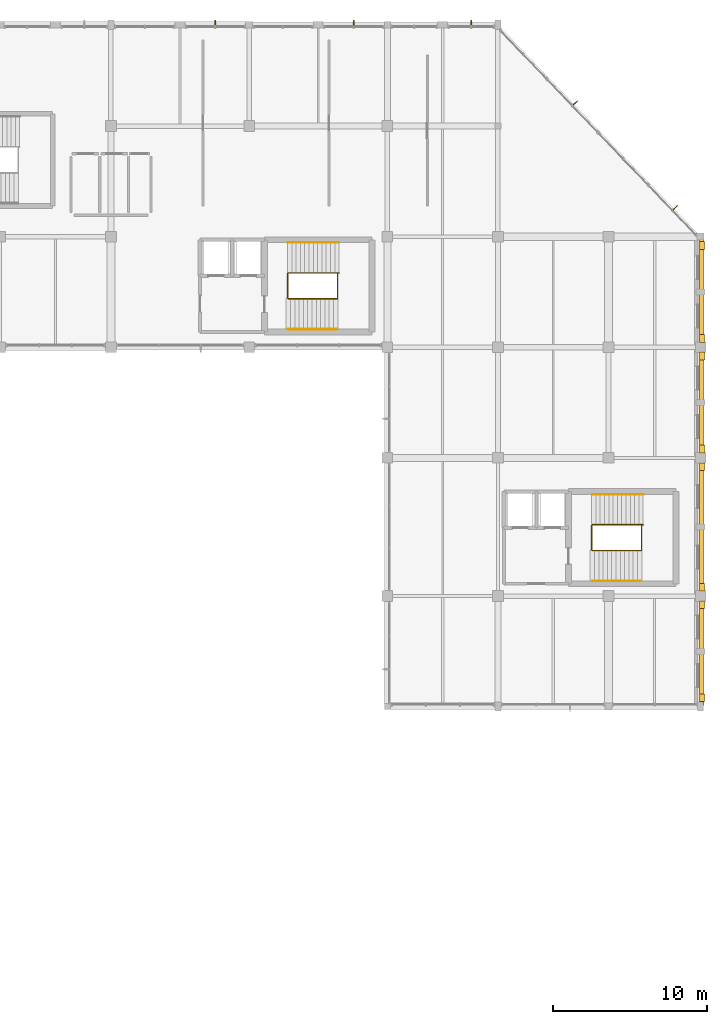
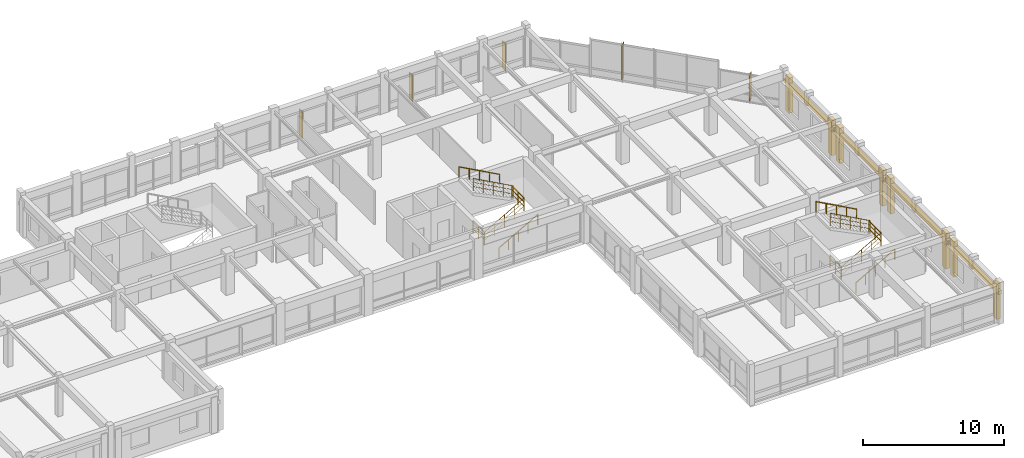
# One storey, part 52 of 52: 12 coverings, 12 railings, 5 shading devices.
"""IFC4 building model written with IfcOpenShell, lengths in metres."""

import ifcopenshell
import ifcopenshell.guid

model = None  # the IFC model being written
_history = None  # IfcOwnerHistory: only IFC2X3 demands one
_inside = {}  # id of a spatial element -> (the spatial element, [elements in it])
_under = {}  # id of a project, library or spatial element -> (it, [spatial elements below it])
_declared = {}  # id of a project -> (the project, [libraries it declares])
_typed = {}  # id of a type object -> (the type object, [elements of that type])
_made_of = {}  # id of a material, layer set ... -> (it, [elements and type objects made of it])


def new_model(schema):
    """Start an empty IFC model of exactly this schema.

    Asked for "IFC4X3", IfcOpenShell would pick the latest addendum, in which some entities
    have other attributes; the version numbers below select the first issue.
    IFC2X3 requires an IfcOwnerHistory on every rooted entity: one is made here for all.
    """
    global model, _history
    if schema == "IFC4X3":
        model = ifcopenshell.file(schema_version=(4, 3, 0, 0))
    else:
        model = ifcopenshell.file(schema=schema)
    _inside.clear()
    _under.clear()
    _declared.clear()
    _typed.clear()
    _made_of.clear()
    _history = None
    if model.schema == "IFC2X3":
        org = make("IfcOrganization", Name="unknown")
        user = make(
            "IfcPersonAndOrganization",
            ThePerson=make("IfcPerson", FamilyName="unknown"),
            TheOrganization=org,
        )
        app = make(
            "IfcApplication",
            ApplicationDeveloper=org,
            Version="unknown",
            ApplicationFullName="unknown",
            ApplicationIdentifier="unknown",
        )
        _history = make(
            "IfcOwnerHistory",
            OwningUser=user,
            OwningApplication=app,
            ChangeAction="ADDED",
            CreationDate=0,
        )
    return model


def make(cls, **values):
    """One entity of the class cls with the attributes given. An attribute that is None is left unset."""
    return model.create_entity(
        cls, **{name: value for name, value in values.items() if value is not None}
    )


def rooted(cls, **values):
    """An entity with a GlobalId (a new one), such as an element, a storey or a relation."""
    return make(cls, GlobalId=ifcopenshell.guid.new(), OwnerHistory=_history, **values)


def si_unit(unit_type, name, prefix=None):
    """IfcSIUnit, for example si_unit("LENGTHUNIT", "METRE", prefix="MILLI")."""
    return make("IfcSIUnit", UnitType=unit_type, Prefix=prefix, Name=name)


def assignment(units):
    """IfcUnitAssignment: the units of a project."""
    return None if units is None else make("IfcUnitAssignment", Units=units)


def point(xyz):
    """IfcCartesianPoint."""
    return None if xyz is None else make("IfcCartesianPoint", Coordinates=xyz)


def direction(xyz):
    """IfcDirection."""
    return None if xyz is None else make("IfcDirection", DirectionRatios=xyz)


def frame(location, z_axis=None, x_axis=None):
    """IfcAxis2Placement3D, a coordinate frame: its origin and axes. An axis left out is left unset."""
    return make(
        "IfcAxis2Placement3D",
        Location=point(location),
        Axis=direction(z_axis),
        RefDirection=direction(x_axis),
    )


def frame_2d(location, x_axis=None):
    """IfcAxis2Placement2D, a coordinate frame in the plane: its origin and x axis."""
    return make(
        "IfcAxis2Placement2D", Location=point(location), RefDirection=direction(x_axis)
    )


def origin():
    """The frame at (0, 0, 0) with its axes left unset."""
    return frame((0.0, 0.0, 0.0))


def origin_2d():
    """The frame at (0, 0) in the plane with its x axis left unset."""
    return frame_2d((0.0, 0.0))


def place(relative_to, where):
    """IfcLocalPlacement: puts the frame where relative to a parent placement (None: the world)."""
    return make(
        "IfcLocalPlacement", PlacementRelTo=relative_to, RelativePlacement=where
    )


def context(
    kind, dimensions, precision=None, world=None, true_north=None, identifier=None
):
    """IfcGeometricRepresentationContext, for example the 3D "Model" context."""
    return make(
        "IfcGeometricRepresentationContext",
        ContextIdentifier=identifier,
        ContextType=kind,
        CoordinateSpaceDimension=dimensions,
        Precision=precision,
        WorldCoordinateSystem=world,
        TrueNorth=true_north,
    )


def subcontext(parent, identifier, kind, view, scale=None):
    """IfcGeometricRepresentationSubContext, for example "Body" below "Model"."""
    return make(
        "IfcGeometricRepresentationSubContext",
        ContextIdentifier=identifier,
        ContextType=kind,
        ParentContext=parent,
        TargetScale=scale,
        TargetView=view,
    )


def project(units=None, contexts=None):
    """IfcProject with its units and contexts."""
    return rooted(
        "IfcProject",
        Name="project",
        RepresentationContexts=contexts,
        UnitsInContext=assignment(units),
    )


def spatial(cls, under=None, at=None, **own):
    """A site, building, storey or space (cls), placed at a placement, below another one or the project."""
    s = rooted(cls, ObjectPlacement=at, **own)
    if under is not None:
        _under.setdefault(under.id(), (under, []))[1].append(s)
    return s


def profile(cls, at=None, kind="AREA", **sizes):
    """A parametric profile (cls). Its sizes go by their IFC names, for example OverallWidth=200.0."""
    return make(cls, ProfileType=kind, Position=at, **sizes)


def rectangle(**sizes):
    """IfcRectangleProfileDef."""
    return profile("IfcRectangleProfileDef", **sizes)


def circle(**sizes):
    """IfcCircleProfileDef."""
    return profile("IfcCircleProfileDef", **sizes)


def extrude(swept, where, along, depth):
    """IfcExtrudedAreaSolid: the profile swept, set in the frame where, extruded along a direction by depth."""
    return make(
        "IfcExtrudedAreaSolid",
        SweptArea=swept,
        Position=where,
        ExtrudedDirection=direction(along),
        Depth=depth,
    )


def shape(context_of_items, identifier, shape_type, items):
    """IfcShapeRepresentation: the items that make up one representation, for example the "Body"."""
    return make(
        "IfcShapeRepresentation",
        ContextOfItems=context_of_items,
        RepresentationIdentifier=identifier,
        RepresentationType=shape_type,
        Items=items,
    )


def material(Name=None, Category=None):
    """IfcMaterial."""
    return make("IfcMaterial", Name=Name, Category=Category)


def layer(
    of_material, thickness, ventilated=None, Name=None, Category=None, Priority=None
):
    """IfcMaterialLayer: one layer of a wall or slab, of a material (None: an air gap)."""
    return make(
        "IfcMaterialLayer",
        Material=of_material,
        LayerThickness=thickness,
        IsVentilated=ventilated,
        Name=Name,
        Category=Category,
        Priority=Priority,
    )


def layer_set(layers, Name=None):
    """IfcMaterialLayerSet."""
    return make("IfcMaterialLayerSet", MaterialLayers=layers, LayerSetName=Name)


def made_of(thing, what):
    """Note that an element or type object is made of a material, layer set ...; save() writes the relation."""
    if what is not None:
        _made_of.setdefault(what.id(), (what, []))[1].append(thing)
    return thing


def type_object(cls, material=None, **own):
    """A type object (cls), such as IfcWallType, which elements share."""
    return made_of(rooted(cls, **own), material)


def element(
    cls,
    number,
    at=None,
    inside=None,
    cuts=None,
    type_object=None,
    material=None,
    context=None,
    identifier="Body",
    shape_type=None,
    held_by="IfcProductDefinitionShape",
    body=None,
    shapes=None,
    **own,
):
    """One element of the class cls, such as IfcWall. Its Tag is "e" and its number.

    at: its placement. inside: the storey or other place that contains it. cuts: it is an
    opening in that element (IfcRelVoidsElement). A single representation is given by context,
    identifier, shape_type and body (its items); several are given by shapes. held_by: the class
    of the entity that holds the representations. save() writes the other relations.
    """
    e = rooted(cls, Tag="e%d" % number, ObjectPlacement=at, **own)
    if body is not None:
        shapes = [shape(context, identifier, shape_type, body)]
    if shapes is not None:
        e.Representation = make(held_by, Representations=shapes)
    if inside is not None:
        _inside.setdefault(inside.id(), (inside, []))[1].append(e)
    if cuts is not None:
        rooted(
            "IfcRelVoidsElement", RelatingBuildingElement=cuts, RelatedOpeningElement=e
        )
    if type_object is not None:
        _typed.setdefault(type_object.id(), (type_object, []))[1].append(e)
    return made_of(e, material)


def aggregate(whole, parts):
    """IfcRelAggregates: a whole, such as a stair, and the parts it consists of."""
    return rooted("IfcRelAggregates", RelatingObject=whole, RelatedObjects=parts)


def save(model, path):
    """Write the relations noted so far, then the file.

    IfcRelAggregates (storeys below a building ...), IfcRelContainedInSpatialStructure (elements
    in a storey), IfcRelDefinesByType, IfcRelAssociatesMaterial and IfcRelDeclares: one each for
    every whole, place, type object, material and project.
    """
    for whole, parts in _under.values():
        aggregate(whole, parts)
    for where, things in _inside.values():
        rooted(
            "IfcRelContainedInSpatialStructure",
            RelatedElements=things,
            RelatingStructure=where,
        )
    for kind, things in _typed.values():
        rooted("IfcRelDefinesByType", RelatedObjects=things, RelatingType=kind)
    for what, things in _made_of.values():
        rooted("IfcRelAssociatesMaterial", RelatedObjects=things, RelatingMaterial=what)
    for by, libraries in _declared.values():
        rooted("IfcRelDeclares", RelatingContext=by, RelatedDefinitions=libraries)
    model.write(path)


model = new_model("IFC4")

# Units and contexts
model_context = context("Model", 3, precision=1e-05, world=origin(), true_north=direction((0.0, 1.0)))
body_context = subcontext(model_context, "Body", "Model", "MODEL_VIEW")
ifc_project = project(units=[si_unit("LENGTHUNIT", "METRE"), si_unit("AREAUNIT", "SQUARE_METRE"), si_unit("VOLUMEUNIT", "CUBIC_METRE"), si_unit("PLANEANGLEUNIT", "RADIAN"), si_unit("MASSUNIT", "GRAM", prefix="KILO")], contexts=[model_context])

# Site, building, storey
site_placement = place(None, origin())
site = spatial("IfcSite", under=ifc_project, at=site_placement, CompositionType="ELEMENT")
building_placement = place(site_placement, origin())
building = spatial("IfcBuilding", under=site, at=building_placement, Name="Clarverna Civic Hall", CompositionType="ELEMENT")
storey_placement = place(building_placement, frame((0.0, 0.0, 16.800048828125)))
storey = spatial("IfcBuildingStorey", under=building, at=storey_placement, Name="L04", CompositionType="ELEMENT", Elevation=16.800048828125)

# Coverings
ifc_material_1 = material(Name="Montjuic Buff Limestone Ashlar Cladding", Category="masonry")
ifc_layer_1 = layer(ifc_material_1, 0.070068359375)
ifc_layer_set_1 = layer_set([ifc_layer_1], Name="Montjuic Buff Limestone Ashlar Cladding")
covering_type = type_object("IfcCoveringType", Name="CV-CL2", PredefinedType="CLADDING", material=ifc_layer_set_1)
covering_1_placement = place(storey_placement, frame((168.080078125, 102.139892578125, 2.2900390625), z_axis=(0.0, 0.0, 1.0), x_axis=(0.0, -1.0, 0.0)))
element("IfcCovering", 1, at=covering_1_placement, inside=storey, type_object=covering_type, Name="CV-CL2-761", PredefinedType="CLADDING", context=body_context, shape_type="SweptSolid", body=[
    extrude(rectangle(XDim=7.079833984375, YDim=0.280029296875, at=frame_2d((3.5400390625, 0.0))), origin(), (0.0, 0.0, 1.0), 0.2998046875),
])
for number, where, z_axis, x_axis, name in (
    (2, (168.110107421875, 101.8798828125, 0.0), (0.0, 0.0, 1.0), (0.0, -1.0, 0.0), "CV-CL2-762"),
    (3, (168.110107421875, 95.820068359375, 0.0), (0.0, 0.0, 1.0), (0.0, -1.0, 0.0), "CV-CL2-763"),
):
    element("IfcCovering", number, at=place(storey_placement, frame(where, z_axis=z_axis, x_axis=x_axis)), inside=storey, type_object=covering_type, Name=name, PredefinedType="CLADDING", context=body_context, shape_type="SweptSolid", body=[
        extrude(rectangle(XDim=0.5, YDim=0.340087890625, at=frame_2d((0.25, 0.0))), origin(), (0.0, 0.0, 1.0), 3.050048828125),
    ])
covering_2_placement = place(storey_placement, frame((168.080078125, 94.93994140625, 2.320068359375), z_axis=(0.0, 0.0, 1.0), x_axis=(0.0, -1.0, 0.0)))
element("IfcCovering", 4, at=covering_2_placement, inside=storey, type_object=covering_type, Name="CV-CL2-764", PredefinedType="CLADDING", context=body_context, shape_type="SweptSolid", body=[
    extrude(rectangle(XDim=7.079833984375, YDim=0.280029296875, at=frame_2d((3.5400390625, 0.0))), origin(), (0.0, 0.0, 1.0), 0.2998046875),
])
for number, where, z_axis, x_axis, name in (
    (5, (168.110107421875, 94.679931640625, 0.0), (0.0, 0.0, 1.0), (0.0, -1.0, 0.0), "CV-CL2-765"),
    (6, (168.110107421875, 88.6201171875, 0.0), (0.0, 0.0, 1.0), (0.0, -1.0, 0.0), "CV-CL2-766"),
):
    element("IfcCovering", number, at=place(storey_placement, frame(where, z_axis=z_axis, x_axis=x_axis)), inside=storey, type_object=covering_type, Name=name, PredefinedType="CLADDING", context=body_context, shape_type="SweptSolid", body=[
        extrude(rectangle(XDim=0.5, YDim=0.340087890625, at=frame_2d((0.25, 0.0))), origin(), (0.0, 0.0, 1.0), 3.079833984375),
    ])
covering_3_placement = place(storey_placement, frame((168.080078125, 87.739990234375, 2.320068359375), z_axis=(0.0, 0.0, 1.0), x_axis=(0.0, -1.0, 0.0)))
element("IfcCovering", 7, at=covering_3_placement, inside=storey, type_object=covering_type, Name="CV-CL2-767", PredefinedType="CLADDING", context=body_context, shape_type="SweptSolid", body=[
    extrude(rectangle(XDim=8.8798828125, YDim=0.280029296875, at=frame_2d((4.43994140625, 0.0))), origin(), (0.0, 0.0, 1.0), 0.2998046875),
])
for number, where, z_axis, x_axis, name in (
    (8, (168.110107421875, 87.47998046875, 0.0), (0.0, 0.0, 1.0), (0.0, -1.0, 0.0), "CV-CL2-768"),
    (9, (168.110107421875, 79.6201171875, 0.0), (0.0, 0.0, 1.0), (0.0, -1.0, 0.0), "CV-CL2-769"),
):
    element("IfcCovering", number, at=place(storey_placement, frame(where, z_axis=z_axis, x_axis=x_axis)), inside=storey, type_object=covering_type, Name=name, PredefinedType="CLADDING", context=body_context, shape_type="SweptSolid", body=[
        extrude(rectangle(XDim=0.5, YDim=0.340087890625, at=frame_2d((0.25, 0.0))), origin(), (0.0, 0.0, 1.0), 3.079833984375),
    ])
covering_4_placement = place(storey_placement, frame((168.080078125, 78.739990234375, 2.320068359375), z_axis=(0.0, 0.0, 1.0), x_axis=(0.0, -1.0, 0.0)))
element("IfcCovering", 10, at=covering_4_placement, inside=storey, type_object=covering_type, Name="CV-CL2-770", PredefinedType="CLADDING", context=body_context, shape_type="SweptSolid", body=[
    extrude(rectangle(XDim=7.080078125, YDim=0.280029296875, at=frame_2d((3.5400390625, 0.0))), origin(), (0.0, 0.0, 1.0), 0.2998046875),
])
for number, where, z_axis, x_axis, name in (
    (11, (168.110107421875, 78.47998046875, 0.0), (0.0, 0.0, 1.0), (0.0, -1.0, 0.0), "CV-CL2-771"),
    (12, (168.110107421875, 72.419921875, 0.0), (0.0, 0.0, 1.0), (0.0, -1.0, 0.0), "CV-CL2-772"),
):
    element("IfcCovering", number, at=place(storey_placement, frame(where, z_axis=z_axis, x_axis=x_axis)), inside=storey, type_object=covering_type, Name=name, PredefinedType="CLADDING", context=body_context, shape_type="SweptSolid", body=[
        extrude(rectangle(XDim=0.5, YDim=0.340087890625, at=frame_2d((0.25, 0.0))), origin(), (0.0, 0.0, 1.0), 3.079833984375),
    ])

# Railings
ifc_material_2 = material(Name="Anodised Bronze Architectural Balustrade")
railing_type_1 = type_object("IfcRailingType", Name="GR-02", PredefinedType="BALUSTRADE", material=ifc_material_2)
railing_1_placement = place(storey_placement, frame((141.14990234375, 98.159912109375, 0.0)))
element("IfcRailing", 13, at=railing_1_placement, inside=storey, type_object=railing_type_1, Name="GR-02-023", PredefinedType="BALUSTRADE", context=body_context, shape_type="SweptSolid", body=[
    extrude(circle(Radius=0.02392578125, at=origin_2d()), frame((0.0, 0.0, 1.09619140625), z_axis=(0.871901705862, 0.0, 0.489680932154), x_axis=(0.0, 1.0, 0.0)), (0.0, 0.0, 1.0), 3.676025390625),
    extrude(circle(Radius=0.011962890625, at=origin_2d()), frame((0.0, 0.0, 0.39208984375), z_axis=(0.871901705862, 0.0, 0.489680932154), x_axis=(0.0, 1.0, 0.0)), (0.0, 0.0, 1.0), 3.676025390625),
    extrude(circle(Radius=0.011962890625, at=origin_2d()), frame((0.0, 0.0, 0.76171875), z_axis=(0.871901705862, 0.0, 0.489680932154), x_axis=(0.0, 1.0, 0.0)), (0.0, 0.0, 1.0), 3.676025390625),
    extrude(circle(Radius=0.02099609375, at=origin_2d()), origin(), (0.0, 0.0, 1.0), 1.072021484375),
    extrude(circle(Radius=0.02099609375, at=origin_2d()), frame((0.80126953125, 0.0, 0.449951171875)), (0.0, 0.0, 1.0), 1.072021484375),
    extrude(circle(Radius=0.02099609375, at=origin_2d()), frame((1.6025390625, 0.0, 0.89990234375)), (0.0, 0.0, 1.0), 1.072021484375),
    extrude(circle(Radius=0.02099609375, at=origin_2d()), frame((2.40380859375, 0.0, 1.35009765625)), (0.0, 0.0, 1.0), 1.072021484375),
    extrude(circle(Radius=0.02099609375, at=origin_2d()), frame((3.205078125, 0.0, 1.800048828125)), (0.0, 0.0, 1.0), 1.072021484375),
])
railing_2_placement = place(storey_placement, frame((144.35498046875, 98.159912109375, 1.800048828125)))
element("IfcRailing", 14, at=railing_2_placement, inside=storey, type_object=railing_type_1, Name="GR-02-024", PredefinedType="BALUSTRADE", context=body_context, shape_type="SweptSolid", body=[
    extrude(circle(Radius=0.02392578125, at=origin_2d()), frame((0.0, 0.0, 1.09619140625), z_axis=(0.0, 1.0, 0.0), x_axis=(-1.0, 0.0, 0.0)), (0.0, 0.0, 1.0), 1.68017578125),
    extrude(circle(Radius=0.011962890625, at=origin_2d()), frame((0.0, 0.0, 0.39208984375), z_axis=(0.0, 1.0, 0.0), x_axis=(-1.0, 0.0, 0.0)), (0.0, 0.0, 1.0), 1.68017578125),
    extrude(circle(Radius=0.011962890625, at=origin_2d()), frame((0.0, 0.0, 0.76171875), z_axis=(0.0, 1.0, 0.0), x_axis=(-1.0, 0.0, 0.0)), (0.0, 0.0, 1.0), 1.68017578125),
    extrude(circle(Radius=0.02099609375, at=origin_2d()), origin(), (0.0, 0.0, 1.0), 1.072021484375),
    extrude(circle(Radius=0.02099609375, at=origin_2d()), frame((0.0, 0.840087890625, 0.0)), (0.0, 0.0, 1.0), 1.072021484375),
    extrude(circle(Radius=0.02099609375, at=origin_2d()), frame((0.0, 1.68017578125, 0.0)), (0.0, 0.0, 1.0), 1.072021484375),
])
railing_3_placement = place(storey_placement, frame((144.445068359375, 99.840087890625, 1.800048828125)))
element("IfcRailing", 15, at=railing_3_placement, inside=storey, type_object=railing_type_1, Name="GR-02-025", PredefinedType="BALUSTRADE", context=body_context, shape_type="SweptSolid", body=[
    extrude(circle(Radius=0.02392578125, at=origin_2d()), frame((0.0, 0.0, 1.09619140625), z_axis=(-0.877622082713, 0.0, 0.479353189135), x_axis=(0.0, -1.0, 0.0)), (0.0, 0.0, 1.0), 3.754638671875),
    extrude(circle(Radius=0.011962890625, at=origin_2d()), frame((0.0, 0.0, 0.39208984375), z_axis=(-0.877622082713, 0.0, 0.479353189135), x_axis=(0.0, -1.0, 0.0)), (0.0, 0.0, 1.0), 3.754638671875),
    extrude(circle(Radius=0.011962890625, at=origin_2d()), frame((0.0, 0.0, 0.76171875), z_axis=(-0.877622082713, 0.0, 0.479353189135), x_axis=(0.0, -1.0, 0.0)), (0.0, 0.0, 1.0), 3.754638671875),
    extrude(circle(Radius=0.02099609375, at=origin_2d()), origin(), (0.0, 0.0, 1.0), 1.072021484375),
    extrude(circle(Radius=0.02099609375, at=origin_2d()), frame((-0.82373046875, 0.0, 0.449951171875)), (0.0, 0.0, 1.0), 1.072021484375),
    extrude(circle(Radius=0.02099609375, at=origin_2d()), frame((-1.6474609375, 0.0, 0.89990234375)), (0.0, 0.0, 1.0), 1.072021484375),
    extrude(circle(Radius=0.02099609375, at=origin_2d()), frame((-2.471435546875, 0.0, 1.349853515625)), (0.0, 0.0, 1.0), 1.072021484375),
    extrude(circle(Radius=0.02099609375, at=origin_2d()), frame((-3.295166015625, 0.0, 1.7998046875)), (0.0, 0.0, 1.0), 1.072021484375),
])
railing_4_placement = place(storey_placement, frame((141.110107421875, 98.199951171875, 0.0)))
element("IfcRailing", 16, at=railing_4_placement, inside=storey, type_object=railing_type_1, Name="GR-02-026", PredefinedType="BALUSTRADE", context=body_context, shape_type="SweptSolid", body=[
    extrude(circle(Radius=0.02392578125, at=origin_2d()), frame((0.0, 0.0, 1.09619140625), z_axis=(0.0, 1.0, 0.0), x_axis=(-1.0, 0.0, 0.0)), (0.0, 0.0, 1.0), 1.60009765625),
    extrude(circle(Radius=0.011962890625, at=origin_2d()), frame((0.0, 0.0, 0.39208984375), z_axis=(0.0, 1.0, 0.0), x_axis=(-1.0, 0.0, 0.0)), (0.0, 0.0, 1.0), 1.60009765625),
    extrude(circle(Radius=0.011962890625, at=origin_2d()), frame((0.0, 0.0, 0.76171875), z_axis=(0.0, 1.0, 0.0), x_axis=(-1.0, 0.0, 0.0)), (0.0, 0.0, 1.0), 1.60009765625),
    extrude(circle(Radius=0.02099609375, at=origin_2d()), origin(), (0.0, 0.0, 1.0), 1.072021484375),
    extrude(circle(Radius=0.02099609375, at=origin_2d()), frame((0.0, 0.800048828125, 0.0)), (0.0, 0.0, 1.0), 1.072021484375),
    extrude(circle(Radius=0.02099609375, at=origin_2d()), frame((0.0, 1.60009765625, 0.0)), (0.0, 0.0, 1.0), 1.072021484375),
])
railing_5_placement = place(storey_placement, frame((160.949951171875, 81.760009765625, 0.0)))
element("IfcRailing", 17, at=railing_5_placement, inside=storey, type_object=railing_type_1, Name="GR-02-055", PredefinedType="BALUSTRADE", context=body_context, shape_type="SweptSolid", body=[
    extrude(circle(Radius=0.02392578125, at=origin_2d()), frame((0.0, 0.0, 1.09619140625), z_axis=(0.871901705862, 0.0, 0.489680932154), x_axis=(0.0, 1.0, 0.0)), (0.0, 0.0, 1.0), 3.676025390625),
    extrude(circle(Radius=0.011962890625, at=origin_2d()), frame((0.0, 0.0, 0.39208984375), z_axis=(0.871901705862, 0.0, 0.489680932154), x_axis=(0.0, 1.0, 0.0)), (0.0, 0.0, 1.0), 3.676025390625),
    extrude(circle(Radius=0.011962890625, at=origin_2d()), frame((0.0, 0.0, 0.76171875), z_axis=(0.871901705862, 0.0, 0.489680932154), x_axis=(0.0, 1.0, 0.0)), (0.0, 0.0, 1.0), 3.676025390625),
    extrude(circle(Radius=0.02099609375, at=origin_2d()), origin(), (0.0, 0.0, 1.0), 1.072021484375),
    extrude(circle(Radius=0.02099609375, at=origin_2d()), frame((0.80126953125, 0.0, 0.449951171875)), (0.0, 0.0, 1.0), 1.072021484375),
    extrude(circle(Radius=0.02099609375, at=origin_2d()), frame((1.6025390625, 0.0, 0.89990234375)), (0.0, 0.0, 1.0), 1.072021484375),
    extrude(circle(Radius=0.02099609375, at=origin_2d()), frame((2.40380859375, 0.0, 1.35009765625)), (0.0, 0.0, 1.0), 1.072021484375),
    extrude(circle(Radius=0.02099609375, at=origin_2d()), frame((3.205078125, 0.0, 1.800048828125)), (0.0, 0.0, 1.0), 1.072021484375),
])
railing_6_placement = place(storey_placement, frame((164.155029296875, 81.760009765625, 1.800048828125)))
element("IfcRailing", 18, at=railing_6_placement, inside=storey, type_object=railing_type_1, Name="GR-02-056", PredefinedType="BALUSTRADE", context=body_context, shape_type="SweptSolid", body=[
    extrude(circle(Radius=0.02392578125, at=origin_2d()), frame((0.0, 0.0, 1.09619140625), z_axis=(0.0, 1.0, 0.0), x_axis=(-1.0, 0.0, 0.0)), (0.0, 0.0, 1.0), 1.679931640625),
    extrude(circle(Radius=0.011962890625, at=origin_2d()), frame((0.0, 0.0, 0.39208984375), z_axis=(0.0, 1.0, 0.0), x_axis=(-1.0, 0.0, 0.0)), (0.0, 0.0, 1.0), 1.679931640625),
    extrude(circle(Radius=0.011962890625, at=origin_2d()), frame((0.0, 0.0, 0.76171875), z_axis=(0.0, 1.0, 0.0), x_axis=(-1.0, 0.0, 0.0)), (0.0, 0.0, 1.0), 1.679931640625),
    extrude(circle(Radius=0.02099609375, at=origin_2d()), origin(), (0.0, 0.0, 1.0), 1.072021484375),
    extrude(circle(Radius=0.02099609375, at=origin_2d()), frame((0.0, 0.83984375, 0.0)), (0.0, 0.0, 1.0), 1.072021484375),
    extrude(circle(Radius=0.02099609375, at=origin_2d()), frame((0.0, 1.679931640625, 0.0)), (0.0, 0.0, 1.0), 1.072021484375),
])
railing_7_placement = place(storey_placement, frame((164.2451171875, 83.43994140625, 1.800048828125)))
element("IfcRailing", 19, at=railing_7_placement, inside=storey, type_object=railing_type_1, Name="GR-02-057", PredefinedType="BALUSTRADE", context=body_context, shape_type="SweptSolid", body=[
    extrude(circle(Radius=0.02392578125, at=origin_2d()), frame((0.0, 0.0, 1.09619140625), z_axis=(-0.877622082713, 0.0, 0.479353189135), x_axis=(0.0, -1.0, 0.0)), (0.0, 0.0, 1.0), 3.754638671875),
    extrude(circle(Radius=0.011962890625, at=origin_2d()), frame((0.0, 0.0, 0.39208984375), z_axis=(-0.877622082713, 0.0, 0.479353189135), x_axis=(0.0, -1.0, 0.0)), (0.0, 0.0, 1.0), 3.754638671875),
    extrude(circle(Radius=0.011962890625, at=origin_2d()), frame((0.0, 0.0, 0.76171875), z_axis=(-0.877622082713, 0.0, 0.479353189135), x_axis=(0.0, -1.0, 0.0)), (0.0, 0.0, 1.0), 3.754638671875),
    extrude(circle(Radius=0.02099609375, at=origin_2d()), origin(), (0.0, 0.0, 1.0), 1.072021484375),
    extrude(circle(Radius=0.02099609375, at=origin_2d()), frame((-0.82373046875, 0.0, 0.449951171875)), (0.0, 0.0, 1.0), 1.072021484375),
    extrude(circle(Radius=0.02099609375, at=origin_2d()), frame((-1.6474609375, 0.0, 0.89990234375)), (0.0, 0.0, 1.0), 1.072021484375),
    extrude(circle(Radius=0.02099609375, at=origin_2d()), frame((-2.471435546875, 0.0, 1.349853515625)), (0.0, 0.0, 1.0), 1.072021484375),
    extrude(circle(Radius=0.02099609375, at=origin_2d()), frame((-3.295166015625, 0.0, 1.7998046875)), (0.0, 0.0, 1.0), 1.072021484375),
])
railing_8_placement = place(storey_placement, frame((160.909912109375, 81.800048828125, 0.0)))
element("IfcRailing", 20, at=railing_8_placement, inside=storey, type_object=railing_type_1, Name="GR-02-058", PredefinedType="BALUSTRADE", context=body_context, shape_type="SweptSolid", body=[
    extrude(circle(Radius=0.02392578125, at=origin_2d()), frame((0.0, 0.0, 1.09619140625), z_axis=(0.0, 1.0, 0.0), x_axis=(-1.0, 0.0, 0.0)), (0.0, 0.0, 1.0), 1.599853515625),
    extrude(circle(Radius=0.011962890625, at=origin_2d()), frame((0.0, 0.0, 0.39208984375), z_axis=(0.0, 1.0, 0.0), x_axis=(-1.0, 0.0, 0.0)), (0.0, 0.0, 1.0), 1.599853515625),
    extrude(circle(Radius=0.011962890625, at=origin_2d()), frame((0.0, 0.0, 0.76171875), z_axis=(0.0, 1.0, 0.0), x_axis=(-1.0, 0.0, 0.0)), (0.0, 0.0, 1.0), 1.599853515625),
    extrude(circle(Radius=0.02099609375, at=origin_2d()), origin(), (0.0, 0.0, 1.0), 1.072021484375),
    extrude(circle(Radius=0.02099609375, at=origin_2d()), frame((0.0, 0.7998046875, 0.0)), (0.0, 0.0, 1.0), 1.072021484375),
    extrude(circle(Radius=0.02099609375, at=origin_2d()), frame((0.0, 1.599853515625, 0.0)), (0.0, 0.0, 1.0), 1.072021484375),
])
ifc_material_3 = material(Name="Anodised Bronze Continuous Handrail")
railing_type_2 = type_object("IfcRailingType", Name="HR-01", PredefinedType="HANDRAIL", material=ifc_material_3)
railing_9_placement = place(storey_placement, frame((141.14990234375, 96.179931640625, 0.0)))
element("IfcRailing", 21, at=railing_9_placement, inside=storey, type_object=railing_type_2, Name="HR-01-011", PredefinedType="HANDRAIL", context=body_context, shape_type="SweptSolid", body=[
    extrude(circle(Radius=0.02392578125, at=origin_2d()), frame((0.0, 0.0, 0.89599609375), z_axis=(0.870925075533, 0.0, 0.491415824742), x_axis=(0.0, 1.0, 0.0)), (0.0, 0.0, 1.0), 3.6630859375),
    extrude(circle(Radius=0.02099609375, at=origin_2d()), origin(), (0.0, 0.0, 1.0), 0.871826171875),
    extrude(circle(Radius=0.02099609375, at=origin_2d()), frame((0.797607421875, 0.0, 0.449951171875)), (0.0, 0.0, 1.0), 0.871826171875),
    extrude(circle(Radius=0.02099609375, at=origin_2d()), frame((1.59521484375, 0.0, 0.89990234375)), (0.0, 0.0, 1.0), 0.871826171875),
    extrude(circle(Radius=0.02099609375, at=origin_2d()), frame((2.392578125, 0.0, 1.35009765625)), (0.0, 0.0, 1.0), 0.871826171875),
    extrude(circle(Radius=0.02099609375, at=origin_2d()), frame((3.190185546875, 0.0, 1.800048828125)), (0.0, 0.0, 1.0), 0.871826171875),
])
railing_10_placement = place(storey_placement, frame((144.4599609375, 101.820068359375, 1.800048828125)))
element("IfcRailing", 22, at=railing_10_placement, inside=storey, type_object=railing_type_2, Name="HR-01-012", PredefinedType="HANDRAIL", context=body_context, shape_type="SweptSolid", body=[
    extrude(circle(Radius=0.02392578125, at=origin_2d()), frame((0.0, 0.0, 0.89599609375), z_axis=(-0.878528749065, 0.0, 0.477689477659), x_axis=(0.0, -1.0, 0.0)), (0.0, 0.0, 1.0), 3.767822265625),
    extrude(circle(Radius=0.02099609375, at=origin_2d()), origin(), (0.0, 0.0, 1.0), 0.871826171875),
    extrude(circle(Radius=0.02099609375, at=origin_2d()), frame((-0.82763671875, 0.0, 0.449951171875)), (0.0, 0.0, 1.0), 0.871826171875),
    extrude(circle(Radius=0.02099609375, at=origin_2d()), frame((-1.655029296875, 0.0, 0.89990234375)), (0.0, 0.0, 1.0), 0.871826171875),
    extrude(circle(Radius=0.02099609375, at=origin_2d()), frame((-2.482421875, 0.0, 1.349853515625)), (0.0, 0.0, 1.0), 0.871826171875),
    extrude(circle(Radius=0.02099609375, at=origin_2d()), frame((-3.31005859375, 0.0, 1.7998046875)), (0.0, 0.0, 1.0), 0.871826171875),
])
railing_11_placement = place(storey_placement, frame((160.949951171875, 79.780029296875, 0.0)))
element("IfcRailing", 23, at=railing_11_placement, inside=storey, type_object=railing_type_2, Name="HR-01-027", PredefinedType="HANDRAIL", context=body_context, shape_type="SweptSolid", body=[
    extrude(circle(Radius=0.02392578125, at=origin_2d()), frame((0.0, 0.0, 0.89599609375), z_axis=(0.87090897868, 0.0, 0.491444351738), x_axis=(0.0, 1.0, 0.0)), (0.0, 0.0, 1.0), 3.662841796875),
    extrude(circle(Radius=0.02099609375, at=origin_2d()), origin(), (0.0, 0.0, 1.0), 0.871826171875),
    extrude(circle(Radius=0.02099609375, at=origin_2d()), frame((0.79736328125, 0.0, 0.449951171875)), (0.0, 0.0, 1.0), 0.871826171875),
    extrude(circle(Radius=0.02099609375, at=origin_2d()), frame((1.594970703125, 0.0, 0.89990234375)), (0.0, 0.0, 1.0), 0.871826171875),
    extrude(circle(Radius=0.02099609375, at=origin_2d()), frame((2.392578125, 0.0, 1.35009765625)), (0.0, 0.0, 1.0), 0.871826171875),
    extrude(circle(Radius=0.02099609375, at=origin_2d()), frame((3.18994140625, 0.0, 1.800048828125)), (0.0, 0.0, 1.0), 0.871826171875),
])
railing_12_placement = place(storey_placement, frame((164.260009765625, 85.419921875, 1.800048828125)))
element("IfcRailing", 24, at=railing_12_placement, inside=storey, type_object=railing_type_2, Name="HR-01-028", PredefinedType="HANDRAIL", context=body_context, shape_type="SweptSolid", body=[
    extrude(circle(Radius=0.02392578125, at=origin_2d()), frame((0.0, 0.0, 0.89599609375), z_axis=(-0.878528749065, 0.0, 0.477689477659), x_axis=(0.0, -1.0, 0.0)), (0.0, 0.0, 1.0), 3.767822265625),
    extrude(circle(Radius=0.02099609375, at=origin_2d()), origin(), (0.0, 0.0, 1.0), 0.871826171875),
    extrude(circle(Radius=0.02099609375, at=origin_2d()), frame((-0.82763671875, 0.0, 0.449951171875)), (0.0, 0.0, 1.0), 0.871826171875),
    extrude(circle(Radius=0.02099609375, at=origin_2d()), frame((-1.655029296875, 0.0, 0.89990234375)), (0.0, 0.0, 1.0), 0.871826171875),
    extrude(circle(Radius=0.02099609375, at=origin_2d()), frame((-2.482421875, 0.0, 1.349853515625)), (0.0, 0.0, 1.0), 0.871826171875),
    extrude(circle(Radius=0.02099609375, at=origin_2d()), frame((-3.31005859375, 0.0, 1.7998046875)), (0.0, 0.0, 1.0), 0.871826171875),
])

# Shading devices
ifc_material_4 = material(Name="Anodised Bronze Architectural Solar Fin", Category="aluminium")
ifc_layer_2 = layer(ifc_material_4, 0.054931640625)
ifc_layer_set_2 = layer_set([ifc_layer_2], Name="Anodised Bronze Architectural Solar Fin")
shading_device_type = type_object("IfcShadingDeviceType", Name="SD-FN1", PredefinedType="USERDEFINED", material=ifc_layer_set_2)
for number, where, z_axis, x_axis, name in (
    (25, (136.39990234375, 115.830078125, 0.14990234375), (0.0, 0.0, 1.0), (0.0, 1.0, 0.0), "SD-FN1-051"),
    (26, (145.41259765625, 115.830078125, 0.14990234375), (0.0, 0.0, 1.0), (0.0, 1.0, 0.0), "SD-FN1-052"),
):
    element("IfcShadingDevice", number, at=place(storey_placement, frame(where, z_axis=z_axis, x_axis=x_axis)), inside=storey, type_object=shading_device_type, Name=name, ObjectType="FIN", PredefinedType="USERDEFINED", context=body_context, shape_type="SweptSolid", body=[
        extrude(rectangle(XDim=0.47998046875, YDim=0.054931640625, at=frame_2d((0.239990234375, 0.0))), origin(), (0.0, 0.0, 1.0), 2.300048828125),
    ])
shading_device_1_placement = place(storey_placement, frame((153.0625, 115.830078125, 0.14990234375), z_axis=(0.0, 0.0, 1.0), x_axis=(0.0, 1.0, 0.0)))
element("IfcShadingDevice", 27, at=shading_device_1_placement, inside=storey, type_object=shading_device_type, Name="SD-FN1-053", ObjectType="FIN", PredefinedType="USERDEFINED", context=body_context, shape_type="SweptSolid", body=[
    extrude(rectangle(XDim=0.47998046875, YDim=0.054931640625, at=frame_2d((0.239990234375, 0.0))), origin(), (0.0, 0.0, 1.0), 2.340087890625),
])
shading_device_2_placement = place(storey_placement, frame((159.627197265625, 110.70751953125, 0.14990234375), z_axis=(0.0, 0.0, 1.0), x_axis=(0.72269708108, 0.691164907239, 0.0)))
element("IfcShadingDevice", 28, at=shading_device_2_placement, inside=storey, type_object=shading_device_type, Name="SD-FN1-054", ObjectType="FIN", PredefinedType="USERDEFINED", context=body_context, shape_type="SweptSolid", body=[
    extrude(rectangle(XDim=0.47998046875, YDim=0.054931640625, at=frame_2d((0.239990234375, 0.0))), origin(), (0.0, 0.0, 1.0), 3.02001953125),
])
shading_device_3_placement = place(storey_placement, frame((166.145263671875, 103.89306640625, 0.14990234375), z_axis=(0.0, 0.0, 1.0), x_axis=(0.72269708108, 0.691164907239, 0.0)))
element("IfcShadingDevice", 29, at=shading_device_3_placement, inside=storey, type_object=shading_device_type, Name="SD-FN1-055", ObjectType="FIN", PredefinedType="USERDEFINED", context=body_context, shape_type="SweptSolid", body=[
    extrude(rectangle(XDim=0.47998046875, YDim=0.054931640625, at=frame_2d((0.239990234375, 0.0))), origin(), (0.0, 0.0, 1.0), 2.27001953125),
])

save(model, "model.ifc")
